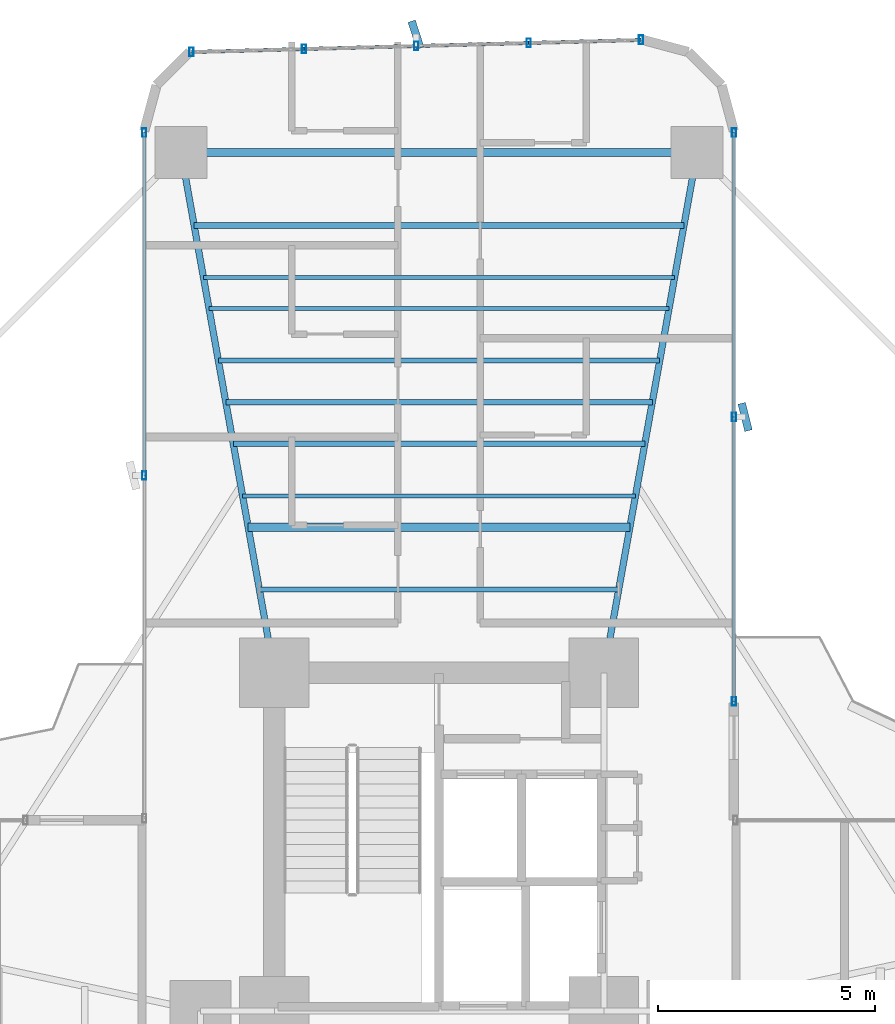
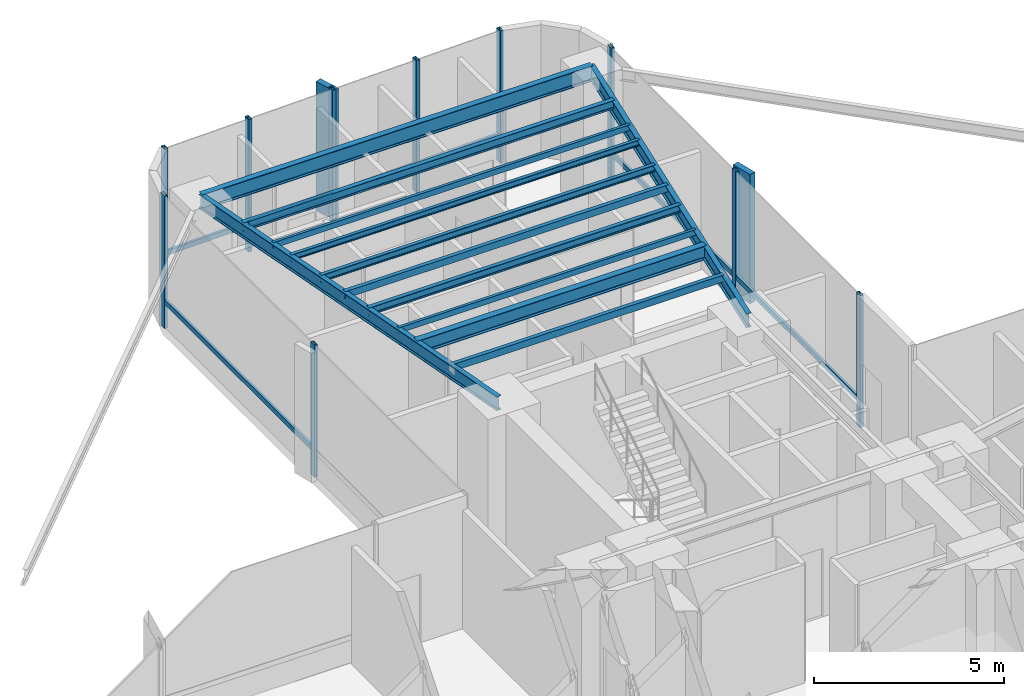
# One storey, part 12 of 20: 19 members, 12 beams, 3 elements without a shape of their own.
"""IFC4 building model written with IfcOpenShell, lengths in metres."""

import ifcopenshell
import ifcopenshell.guid

model = None  # the IFC model being written
_history = None  # IfcOwnerHistory: only IFC2X3 demands one
_inside = {}  # id of a spatial element -> (the spatial element, [elements in it])
_under = {}  # id of a project, library or spatial element -> (it, [spatial elements below it])
_declared = {}  # id of a project -> (the project, [libraries it declares])
_typed = {}  # id of a type object -> (the type object, [elements of that type])
_made_of = {}  # id of a material, layer set ... -> (it, [elements and type objects made of it])


def new_model(schema):
    """Start an empty IFC model of exactly this schema.

    Asked for "IFC4X3", IfcOpenShell would pick the latest addendum, in which some entities
    have other attributes; the version numbers below select the first issue.
    IFC2X3 requires an IfcOwnerHistory on every rooted entity: one is made here for all.
    """
    global model, _history
    if schema == "IFC4X3":
        model = ifcopenshell.file(schema_version=(4, 3, 0, 0))
    else:
        model = ifcopenshell.file(schema=schema)
    _inside.clear()
    _under.clear()
    _declared.clear()
    _typed.clear()
    _made_of.clear()
    _history = None
    if model.schema == "IFC2X3":
        org = make("IfcOrganization", Name="unknown")
        user = make(
            "IfcPersonAndOrganization",
            ThePerson=make("IfcPerson", FamilyName="unknown"),
            TheOrganization=org,
        )
        app = make(
            "IfcApplication",
            ApplicationDeveloper=org,
            Version="unknown",
            ApplicationFullName="unknown",
            ApplicationIdentifier="unknown",
        )
        _history = make(
            "IfcOwnerHistory",
            OwningUser=user,
            OwningApplication=app,
            ChangeAction="ADDED",
            CreationDate=0,
        )
    return model


def make(cls, **values):
    """One entity of the class cls with the attributes given. An attribute that is None is left unset."""
    return model.create_entity(
        cls, **{name: value for name, value in values.items() if value is not None}
    )


def rooted(cls, **values):
    """An entity with a GlobalId (a new one), such as an element, a storey or a relation."""
    return make(cls, GlobalId=ifcopenshell.guid.new(), OwnerHistory=_history, **values)


def si_unit(unit_type, name, prefix=None):
    """IfcSIUnit, for example si_unit("LENGTHUNIT", "METRE", prefix="MILLI")."""
    return make("IfcSIUnit", UnitType=unit_type, Prefix=prefix, Name=name)


def assignment(units):
    """IfcUnitAssignment: the units of a project."""
    return None if units is None else make("IfcUnitAssignment", Units=units)


def point(xyz):
    """IfcCartesianPoint."""
    return None if xyz is None else make("IfcCartesianPoint", Coordinates=xyz)


def direction(xyz):
    """IfcDirection."""
    return None if xyz is None else make("IfcDirection", DirectionRatios=xyz)


def frame(location, z_axis=None, x_axis=None):
    """IfcAxis2Placement3D, a coordinate frame: its origin and axes. An axis left out is left unset."""
    return make(
        "IfcAxis2Placement3D",
        Location=point(location),
        Axis=direction(z_axis),
        RefDirection=direction(x_axis),
    )


def frame_2d(location, x_axis=None):
    """IfcAxis2Placement2D, a coordinate frame in the plane: its origin and x axis."""
    return make(
        "IfcAxis2Placement2D", Location=point(location), RefDirection=direction(x_axis)
    )


def origin():
    """The frame at (0, 0, 0) with its axes left unset."""
    return frame((0.0, 0.0, 0.0))


def origin_2d():
    """The frame at (0, 0) in the plane with its x axis left unset."""
    return frame_2d((0.0, 0.0))


def place(relative_to, where):
    """IfcLocalPlacement: puts the frame where relative to a parent placement (None: the world)."""
    return make(
        "IfcLocalPlacement", PlacementRelTo=relative_to, RelativePlacement=where
    )


def context(
    kind, dimensions, precision=None, world=None, true_north=None, identifier=None
):
    """IfcGeometricRepresentationContext, for example the 3D "Model" context."""
    return make(
        "IfcGeometricRepresentationContext",
        ContextIdentifier=identifier,
        ContextType=kind,
        CoordinateSpaceDimension=dimensions,
        Precision=precision,
        WorldCoordinateSystem=world,
        TrueNorth=true_north,
    )


def subcontext(parent, identifier, kind, view, scale=None):
    """IfcGeometricRepresentationSubContext, for example "Body" below "Model"."""
    return make(
        "IfcGeometricRepresentationSubContext",
        ContextIdentifier=identifier,
        ContextType=kind,
        ParentContext=parent,
        TargetScale=scale,
        TargetView=view,
    )


def project(units=None, contexts=None):
    """IfcProject with its units and contexts."""
    return rooted(
        "IfcProject",
        Name="project",
        RepresentationContexts=contexts,
        UnitsInContext=assignment(units),
    )


def spatial(cls, under=None, at=None, **own):
    """A site, building, storey or space (cls), placed at a placement, below another one or the project."""
    s = rooted(cls, ObjectPlacement=at, **own)
    if under is not None:
        _under.setdefault(under.id(), (under, []))[1].append(s)
    return s


def profile(cls, at=None, kind="AREA", **sizes):
    """A parametric profile (cls). Its sizes go by their IFC names, for example OverallWidth=200.0."""
    return make(cls, ProfileType=kind, Position=at, **sizes)


def rectangle(**sizes):
    """IfcRectangleProfileDef."""
    return profile("IfcRectangleProfileDef", **sizes)


def hollow_rectangle(**sizes):
    """IfcRectangleHollowProfileDef."""
    return profile("IfcRectangleHollowProfileDef", **sizes)


def i_section(**sizes):
    """IfcIShapeProfileDef."""
    return profile("IfcIShapeProfileDef", **sizes)


def extrude(swept, where, along, depth):
    """IfcExtrudedAreaSolid: the profile swept, set in the frame where, extruded along a direction by depth."""
    return make(
        "IfcExtrudedAreaSolid",
        SweptArea=swept,
        Position=where,
        ExtrudedDirection=direction(along),
        Depth=depth,
    )


def shape(context_of_items, identifier, shape_type, items):
    """IfcShapeRepresentation: the items that make up one representation, for example the "Body"."""
    return make(
        "IfcShapeRepresentation",
        ContextOfItems=context_of_items,
        RepresentationIdentifier=identifier,
        RepresentationType=shape_type,
        Items=items,
    )


def source(mapping_origin, context_of_items, identifier, shape_type, items):
    """IfcRepresentationMap: a shape defined once, which mapped items show again and again."""
    return make(
        "IfcRepresentationMap",
        MappingOrigin=mapping_origin,
        MappedRepresentation=shape(context_of_items, identifier, shape_type, items),
    )


def transform(
    local_origin,
    x_axis=None,
    y_axis=None,
    z_axis=None,
    scale=None,
    scale2=None,
    scale3=None,
    uniform=True,
):
    """IfcCartesianTransformationOperator3D, or its non-uniform kind. x_axis, y_axis, z_axis: its Axis1, 2, 3."""
    if uniform:
        return make(
            "IfcCartesianTransformationOperator3D",
            Axis1=direction(x_axis),
            Axis2=direction(y_axis),
            LocalOrigin=point(local_origin),
            Scale=scale,
            Axis3=direction(z_axis),
        )
    return make(
        "IfcCartesianTransformationOperator3DnonUniform",
        Axis1=direction(x_axis),
        Axis2=direction(y_axis),
        LocalOrigin=point(local_origin),
        Scale=scale,
        Axis3=direction(z_axis),
        Scale2=scale2,
        Scale3=scale3,
    )


def mapped(mapping_source, mapping_target):
    """IfcMappedItem: shows the shape of a source again, moved by a transform."""
    return make(
        "IfcMappedItem", MappingSource=mapping_source, MappingTarget=mapping_target
    )


def material(Name=None, Category=None):
    """IfcMaterial."""
    return make("IfcMaterial", Name=Name, Category=Category)


def material_profile(
    of_material, cross_section, Name=None, Category=None, Priority=None
):
    """IfcMaterialProfile: a cross section and its material."""
    return make(
        "IfcMaterialProfile",
        Name=Name,
        Material=of_material,
        Profile=cross_section,
        Priority=Priority,
        Category=Category,
    )


def profile_set(profiles, Name=None, composite=None):
    """IfcMaterialProfileSet."""
    return make(
        "IfcMaterialProfileSet",
        Name=Name,
        MaterialProfiles=profiles,
        CompositeProfile=composite,
    )


def made_of(thing, what):
    """Note that an element or type object is made of a material, layer set ...; save() writes the relation."""
    if what is not None:
        _made_of.setdefault(what.id(), (what, []))[1].append(thing)
    return thing


def type_object(cls, material=None, **own):
    """A type object (cls), such as IfcWallType, which elements share."""
    return made_of(rooted(cls, **own), material)


def element(
    cls,
    number,
    at=None,
    inside=None,
    cuts=None,
    type_object=None,
    material=None,
    context=None,
    identifier="Body",
    shape_type=None,
    held_by="IfcProductDefinitionShape",
    body=None,
    shapes=None,
    **own,
):
    """One element of the class cls, such as IfcWall. Its Tag is "e" and its number.

    at: its placement. inside: the storey or other place that contains it. cuts: it is an
    opening in that element (IfcRelVoidsElement). A single representation is given by context,
    identifier, shape_type and body (its items); several are given by shapes. held_by: the class
    of the entity that holds the representations. save() writes the other relations.
    """
    e = rooted(cls, Tag="e%d" % number, ObjectPlacement=at, **own)
    if body is not None:
        shapes = [shape(context, identifier, shape_type, body)]
    if shapes is not None:
        e.Representation = make(held_by, Representations=shapes)
    if inside is not None:
        _inside.setdefault(inside.id(), (inside, []))[1].append(e)
    if cuts is not None:
        rooted(
            "IfcRelVoidsElement", RelatingBuildingElement=cuts, RelatedOpeningElement=e
        )
    if type_object is not None:
        _typed.setdefault(type_object.id(), (type_object, []))[1].append(e)
    return made_of(e, material)


def aggregate(whole, parts):
    """IfcRelAggregates: a whole, such as a stair, and the parts it consists of."""
    return rooted("IfcRelAggregates", RelatingObject=whole, RelatedObjects=parts)


def save(model, path):
    """Write the relations noted so far, then the file.

    IfcRelAggregates (storeys below a building ...), IfcRelContainedInSpatialStructure (elements
    in a storey), IfcRelDefinesByType, IfcRelAssociatesMaterial and IfcRelDeclares: one each for
    every whole, place, type object, material and project.
    """
    for whole, parts in _under.values():
        aggregate(whole, parts)
    for where, things in _inside.values():
        rooted(
            "IfcRelContainedInSpatialStructure",
            RelatedElements=things,
            RelatingStructure=where,
        )
    for kind, things in _typed.values():
        rooted("IfcRelDefinesByType", RelatedObjects=things, RelatingType=kind)
    for what, things in _made_of.values():
        rooted("IfcRelAssociatesMaterial", RelatedObjects=things, RelatingMaterial=what)
    for by, libraries in _declared.values():
        rooted("IfcRelDeclares", RelatingContext=by, RelatedDefinitions=libraries)
    model.write(path)


model = new_model("IFC4")

# Units and contexts
model_context = context("Model", 3, precision=1e-05, world=origin(), true_north=direction((0.0, 1.0)))
body_context = subcontext(model_context, "Body", "Model", "MODEL_VIEW")
ifc_project = project(units=[si_unit("LENGTHUNIT", "METRE"), si_unit("AREAUNIT", "SQUARE_METRE"), si_unit("VOLUMEUNIT", "CUBIC_METRE"), si_unit("PLANEANGLEUNIT", "RADIAN"), si_unit("MASSUNIT", "GRAM", prefix="KILO")], contexts=[model_context])

# Site, building, storey
site_placement = place(None, origin())
site = spatial("IfcSite", under=ifc_project, at=site_placement, CompositionType="ELEMENT")
building_placement = place(site_placement, origin())
building = spatial("IfcBuilding", under=site, at=building_placement, Name="Sahyath Konkavel Grand Hotel", CompositionType="ELEMENT")
storey_placement = place(building_placement, frame((0.0, 0.0, 46.550048828125)))
storey = spatial("IfcBuildingStorey", under=building, at=storey_placement, Name="L12", CompositionType="ELEMENT", Elevation=46.550048828125)

# Beams
ifc_material_1 = material(Name="Steel E350", Category="steel")
ifc_material_profile_1 = material_profile(ifc_material_1, i_section(OverallWidth=0.179931640625, OverallDepth=0.5, WebThickness=0.01025390625, FlangeThickness=0.01708984375, FilletRadius=0.01708984375, at=origin_2d()), Name="ISMB 500")
ifc_profile_set_1 = profile_set([ifc_material_profile_1], Name="Steel E350")
beam_type_1 = type_object("IfcBeamType", Name="BM-ISMB500", PredefinedType="BEAM", material=ifc_profile_set_1)
shared_shape_1 = source(origin(), body_context, "Body", "SweptSolid", [
    extrude(i_section(OverallWidth=0.179931640625, OverallDepth=0.5, WebThickness=0.01025390625, FlangeThickness=0.01708984375, FilletRadius=0.01708984375, at=origin_2d()), origin(), (0.0, 0.0, 1.0), 11.89990234375),
])
beam_1_placement = place(storey_placement, frame((5.949951171875, 22.199951171875, 4.010009765625), z_axis=(-1.0, 0.0, 0.0), x_axis=(0.0, -1.0, 0.0)))
element("IfcBeam", 1, at=beam_1_placement, inside=storey, type_object=beam_type_1, Name="L12 Wing Tip Edge Beam N", PredefinedType="BEAM", context=body_context, shape_type="MappedRepresentation", body=[
    mapped(shared_shape_1, transform((0.0, 0.0, 0.0), scale=1.0)),
])
ifc_material_profile_2 = material_profile(ifc_material_1, i_section(OverallWidth=0.14990234375, OverallDepth=0.449951171875, WebThickness=0.009521484375, FlangeThickness=0.017333984375, FilletRadius=0.014892578125, at=origin_2d()), Name="ISMB 450")
ifc_profile_set_2 = profile_set([ifc_material_profile_2], Name="Steel E350")
beam_type_2 = type_object("IfcBeamType", Name="BM-ISMB450", PredefinedType="BEAM", material=ifc_profile_set_2)
shared_shape_2 = source(origin(), body_context, "Body", "SweptSolid", [
    extrude(i_section(OverallWidth=0.14990234375, OverallDepth=0.449951171875, WebThickness=0.009521484375, FlangeThickness=0.017333984375, FilletRadius=0.014892578125, at=origin_2d()), origin(), (0.0, 0.0, 1.0), 12.191162109375),
])
for number, where, z_axis, x_axis, name in (
    (2, (3.800048828125, 10.199951171875, 4.034912109375), (0.176350650305, 0.984327409014, 0.0), (-0.984327409014, 0.176350650305, 0.0), "L12 Cruciform Radial Girder NA"),
    (3, (-3.800048828125, 10.199951171875, 4.034912109375), (-0.176350650305, 0.984327409014, 0.0), (-0.984327409014, -0.176350650305, 0.0), "L12 Cruciform Radial Girder NB"),
):
    element("IfcBeam", number, at=place(storey_placement, frame(where, z_axis=z_axis, x_axis=x_axis)), inside=storey, type_object=beam_type_2, Name=name, PredefinedType="BEAM", context=body_context, shape_type="MappedRepresentation", body=[
        mapped(shared_shape_2, transform((0.0, 0.0, 0.0), scale=1.0)),
    ])
ifc_material_profile_3 = material_profile(ifc_material_1, i_section(OverallWidth=0.199951171875, OverallDepth=0.449951171875, WebThickness=0.00927734375, FlangeThickness=0.015380859375, FilletRadius=0.01611328125, at=origin_2d()), Name="ISWB 450")
ifc_profile_set_3 = profile_set([ifc_material_profile_3], Name="Steel E350")
beam_type_3 = type_object("IfcBeamType", Name="BM-ISWB450", PredefinedType="BEAM", material=ifc_profile_set_3)
shared_shape_3 = source(origin(), body_context, "Body", "SweptSolid", [
    extrude(i_section(OverallWidth=0.199951171875, OverallDepth=0.449951171875, WebThickness=0.00927734375, FlangeThickness=0.015380859375, FilletRadius=0.01611328125, at=origin_2d()), origin(), (0.0, 0.0, 1.0), 8.80419921875),
])
beam_2_placement = place(storey_placement, frame((4.402099609375, 13.56005859375, 4.034912109375), z_axis=(-1.0, 0.0, 0.0), x_axis=(0.0, -1.0, 0.0)))
element("IfcBeam", 4, at=beam_2_placement, inside=storey, type_object=beam_type_3, Name="L12 Secondary Floor Beam N-1", PredefinedType="BEAM", context=body_context, shape_type="MappedRepresentation", body=[
    mapped(shared_shape_3, transform((0.0, 0.0, 0.0), scale=1.0)),
])
ifc_material_profile_4 = material_profile(ifc_material_1, hollow_rectangle(XDim=0.1201171875, YDim=0.219970703125, WallThickness=0.010009765625, at=origin_2d()), Name="RHS 220x120x10")
ifc_profile_set_4 = profile_set([ifc_material_profile_4], Name="Steel E350")
beam_type_4 = type_object("IfcBeamType", Name="BM-RHS220", PredefinedType="BEAM", material=ifc_profile_set_4)
shared_shape_4 = source(origin(), body_context, "Body", "SweptSolid", [
    extrude(hollow_rectangle(XDim=0.1201171875, YDim=0.219970703125, WallThickness=0.010009765625, at=origin_2d()), origin(), (0.0, 0.0, 1.0), 9.8359375),
])
beam_3_placement = place(storey_placement, frame((4.91796875, 16.43994140625, 4.14990234375), z_axis=(-1.0, 0.0, 0.0), x_axis=(0.0, -1.0, 0.0)))
element("IfcBeam", 5, at=beam_3_placement, inside=storey, type_object=beam_type_4, Name="L12 Secondary Floor Beam N-2", PredefinedType="BEAM", context=body_context, shape_type="MappedRepresentation", body=[
    mapped(shared_shape_4, transform((0.0, 0.0, 0.0), scale=1.0)),
])
ifc_material_profile_5 = material_profile(ifc_material_1, hollow_rectangle(XDim=0.090087890625, YDim=0.179931640625, WallThickness=0.008056640625, at=origin_2d()), Name="RHS 180x90x8")
ifc_profile_set_5 = profile_set([ifc_material_profile_5], Name="Steel E350")
beam_type_5 = type_object("IfcBeamType", Name="BM-RHS180", PredefinedType="BEAM", material=ifc_profile_set_5)
shared_shape_5 = source(origin(), body_context, "Body", "SweptSolid", [
    extrude(hollow_rectangle(XDim=0.090087890625, YDim=0.179931640625, WallThickness=0.008056640625, at=origin_2d()), origin(), (0.0, 0.0, 1.0), 10.8681640625),
])
beam_4_placement = place(storey_placement, frame((5.43408203125, 19.320068359375, 4.169921875), z_axis=(-1.0, 0.0, 0.0), x_axis=(0.0, -1.0, 0.0)))
element("IfcBeam", 6, at=beam_4_placement, inside=storey, type_object=beam_type_5, Name="L12 Secondary Floor Beam N-3", PredefinedType="BEAM", context=body_context, shape_type="MappedRepresentation", body=[
    mapped(shared_shape_5, transform((0.0, 0.0, 0.0), scale=1.0)),
])
shared_shape_6 = source(origin(), body_context, "Body", "SweptSolid", [
    extrude(hollow_rectangle(XDim=0.1201171875, YDim=0.219970703125, WallThickness=0.010009765625, at=origin_2d()), origin(), (0.0, 0.0, 1.0), 8.2880859375),
])
beam_5_placement = place(storey_placement, frame((4.14404296875, 12.1201171875, 4.14990234375), z_axis=(-1.0, 0.0, 0.0), x_axis=(0.0, -1.0, 0.0)))
element("IfcBeam", 7, at=beam_5_placement, inside=storey, type_object=beam_type_4, Name="L12 Composite Deck Sub-Beam N-1", PredefinedType="BEAM", context=body_context, shape_type="MappedRepresentation", body=[
    mapped(shared_shape_6, transform((0.0, 0.0, 0.0), scale=1.0)),
])
shared_shape_7 = source(origin(), body_context, "Body", "SweptSolid", [
    extrude(hollow_rectangle(XDim=0.090087890625, YDim=0.179931640625, WallThickness=0.008056640625, at=origin_2d()), origin(), (0.0, 0.0, 1.0), 9.06201171875),
])
beam_6_placement = place(storey_placement, frame((4.531005859375, 14.280029296875, 4.169921875), z_axis=(-1.0, 0.0, 0.0), x_axis=(0.0, -1.0, 0.0)))
element("IfcBeam", 8, at=beam_6_placement, inside=storey, type_object=beam_type_5, Name="L12 Composite Deck Sub-Beam N-2", PredefinedType="BEAM", context=body_context, shape_type="MappedRepresentation", body=[
    mapped(shared_shape_7, transform((0.0, 0.0, 0.0), scale=1.0)),
])
ifc_material_profile_6 = material_profile(ifc_material_1, i_section(OverallWidth=0.125, OverallDepth=0.25, WebThickness=0.0068359375, FlangeThickness=0.012451171875, FilletRadius=0.012939453125, at=origin_2d()), Name="ISMB 250")
ifc_profile_set_6 = profile_set([ifc_material_profile_6], Name="Steel E350")
beam_type_6 = type_object("IfcBeamType", Name="BM-ISMB250", PredefinedType="BEAM", material=ifc_profile_set_6)
shared_shape_8 = source(origin(), body_context, "Body", "SweptSolid", [
    extrude(i_section(OverallWidth=0.125, OverallDepth=0.25, WebThickness=0.0068359375, FlangeThickness=0.012451171875, FilletRadius=0.012939453125, at=origin_2d()), origin(), (0.0, 0.0, 1.0), 9.4921875),
])
beam_7_placement = place(storey_placement, frame((4.74609375, 15.47998046875, 4.135009765625), z_axis=(-1.0, 0.0, 0.0), x_axis=(0.0, -1.0, 0.0)))
element("IfcBeam", 9, at=beam_7_placement, inside=storey, type_object=beam_type_6, Name="L12 Composite Deck Sub-Beam N-3", PredefinedType="BEAM", context=body_context, shape_type="MappedRepresentation", body=[
    mapped(shared_shape_8, transform((0.0, 0.0, 0.0), scale=1.0)),
])
ifc_material_profile_7 = material_profile(ifc_material_1, i_section(OverallWidth=0.110107421875, OverallDepth=0.22509765625, WebThickness=0.006591796875, FlangeThickness=0.01171875, FilletRadius=0.011962890625, at=origin_2d()), Name="ISMB 225")
ifc_profile_set_7 = profile_set([ifc_material_profile_7], Name="Steel E350")
beam_type_7 = type_object("IfcBeamType", Name="BM-ISMB225", PredefinedType="BEAM", material=ifc_profile_set_7)
shared_shape_9 = source(origin(), body_context, "Body", "SweptSolid", [
    extrude(i_section(OverallWidth=0.110107421875, OverallDepth=0.22509765625, WebThickness=0.006591796875, FlangeThickness=0.01171875, FilletRadius=0.011962890625, at=origin_2d()), origin(), (0.0, 0.0, 1.0), 10.18017578125),
])
beam_8_placement = place(storey_placement, frame((5.090087890625, 17.39990234375, 4.1474609375), z_axis=(-1.0, 0.0, 0.0), x_axis=(0.0, -1.0, 0.0)))
element("IfcBeam", 10, at=beam_8_placement, inside=storey, type_object=beam_type_7, Name="L12 Composite Deck Sub-Beam N-4", PredefinedType="BEAM", context=body_context, shape_type="MappedRepresentation", body=[
    mapped(shared_shape_9, transform((0.0, 0.0, 0.0), scale=1.0)),
])
ifc_material_profile_8 = material_profile(ifc_material_1, i_section(OverallWidth=0.10009765625, OverallDepth=0.199951171875, WebThickness=0.005615234375, FlangeThickness=0.0107421875, FilletRadius=0.010986328125, at=origin_2d()), Name="ISMB 200")
ifc_profile_set_8 = profile_set([ifc_material_profile_8], Name="Steel E350")
beam_type_8 = type_object("IfcBeamType", Name="BM-ISMB200", PredefinedType="BEAM", material=ifc_profile_set_8)
shared_shape_10 = source(origin(), body_context, "Body", "SweptSolid", [
    extrude(i_section(OverallWidth=0.10009765625, OverallDepth=0.199951171875, WebThickness=0.005615234375, FlangeThickness=0.0107421875, FilletRadius=0.010986328125, at=origin_2d()), origin(), (0.0, 0.0, 1.0), 10.60986328125),
])
beam_9_placement = place(storey_placement, frame((5.304931640625, 18.60009765625, 4.159912109375), z_axis=(-1.0, 0.0, 0.0), x_axis=(0.0, -1.0, 0.0)))
element("IfcBeam", 11, at=beam_9_placement, inside=storey, type_object=beam_type_8, Name="L12 Composite Deck Sub-Beam N-5", PredefinedType="BEAM", context=body_context, shape_type="MappedRepresentation", body=[
    mapped(shared_shape_10, transform((0.0, 0.0, 0.0), scale=1.0)),
])
ifc_material_profile_9 = material_profile(ifc_material_1, i_section(OverallWidth=0.139892578125, OverallDepth=0.27490234375, WebThickness=0.00634765625, FlangeThickness=0.0087890625, FilletRadius=0.012939453125, at=origin_2d()), Name="ISLB 275")
ifc_profile_set_9 = profile_set([ifc_material_profile_9], Name="Steel E350")
beam_type_9 = type_object("IfcBeamType", Name="BM-ISLB275", PredefinedType="BEAM", material=ifc_profile_set_9)
shared_shape_11 = source(origin(), body_context, "Body", "SweptSolid", [
    extrude(i_section(OverallWidth=0.139892578125, OverallDepth=0.27490234375, WebThickness=0.00634765625, FlangeThickness=0.0087890625, FilletRadius=0.012939453125, at=origin_2d()), origin(), (0.0, 0.0, 1.0), 11.2978515625),
])
beam_10_placement = place(storey_placement, frame((5.64892578125, 20.52001953125, 4.12255859375), z_axis=(-1.0, 0.0, 0.0), x_axis=(0.0, -1.0, 0.0)))
element("IfcBeam", 12, at=beam_10_placement, inside=storey, type_object=beam_type_9, Name="L12 Composite Deck Sub-Beam N-6", PredefinedType="BEAM", context=body_context, shape_type="MappedRepresentation", body=[
    mapped(shared_shape_11, transform((0.0, 0.0, 0.0), scale=1.0)),
])

# Curtain wall, members
ifc_material_2 = material(Name="Anodised Bronze Aluminium & Low-E Glazing", Category="aluminium")
curtain_wall_type = type_object("IfcCurtainWallType", Name="CW-SKYLOBBY", PredefinedType="NOTDEFINED", material=ifc_material_2)
curtain_wall_1_placement = place(storey_placement, origin())
curtain_wall_1 = element("IfcCurtainWall", 13, at=curtain_wall_1_placement, inside=storey, type_object=curtain_wall_type, Name="L12 Unitised Curtain Wall F8", PredefinedType="NOTDEFINED")
ifc_material_3 = material(Name="Anodised Bronze Aluminium", Category="aluminium")
ifc_material_profile_10 = material_profile(ifc_material_3, hollow_rectangle(XDim=0.10009765625, YDim=0.199951171875, WallThickness=0.008056640625, at=origin_2d()), Name="RHS 200x100x8")
ifc_profile_set_10 = profile_set([ifc_material_profile_10], Name="Anodised Bronze Aluminium")
member_type_1 = type_object("IfcMemberType", Name="CW-MUL-200", PredefinedType="MULLION", material=ifc_profile_set_10)
shared_shape_12 = source(origin(), body_context, "Body", "SweptSolid", [
    extrude(hollow_rectangle(XDim=0.10009765625, YDim=0.199951171875, WallThickness=0.008056640625, at=origin_2d()), origin(), (0.0, 0.0, 1.0), 4.260009765625),
])
member_1_placement = place(storey_placement, frame((6.800048828125, 9.5400390625, 0.0), z_axis=(0.0, 0.0, 1.0), x_axis=(1.0, 0.0, 0.0)))
member_1 = element("IfcMember", 14, at=member_1_placement, type_object=member_type_1, Name="L12 Curtain Wall Mullion F8-0", PredefinedType="MULLION", context=body_context, shape_type="MappedRepresentation", body=[
    mapped(shared_shape_12, transform((0.0, 0.0, 0.0), scale=1.0)),
])
member_2_placement = place(storey_placement, frame((6.800048828125, 16.10009765625, 0.0), z_axis=(0.0, 0.0, 1.0), x_axis=(1.0, 0.0, 0.0)))
member_2 = element("IfcMember", 15, at=member_2_placement, type_object=member_type_1, Name="L12 Curtain Wall Mullion F8-1", PredefinedType="MULLION", context=body_context, shape_type="MappedRepresentation", body=[
    mapped(shared_shape_12, transform((0.0, 0.0, 0.0), scale=1.0)),
])
member_3_placement = place(storey_placement, frame((6.800048828125, 22.659912109375, 0.0), z_axis=(0.0, 0.0, 1.0), x_axis=(1.0, 0.0, 0.0)))
member_3 = element("IfcMember", 16, at=member_3_placement, type_object=member_type_1, Name="L12 Curtain Wall Mullion F8-2", PredefinedType="MULLION", context=body_context, shape_type="MappedRepresentation", body=[
    mapped(shared_shape_12, transform((0.0, 0.0, 0.0), scale=1.0)),
])

curtain_wall_2_placement = place(storey_placement, origin())
curtain_wall_2 = element("IfcCurtainWall", 17, at=curtain_wall_2_placement, inside=storey, type_object=curtain_wall_type, Name="L12 Unitised Curtain Wall F12", PredefinedType="NOTDEFINED")
member_4_placement = place(storey_placement, frame((4.659912109375, 24.798828125, 0.0), z_axis=(0.0, 0.0, 1.0), x_axis=(1.0, 0.0, 0.0)))
member_4 = element("IfcMember", 18, at=member_4_placement, type_object=member_type_1, Name="L12 Curtain Wall Mullion F12-0", PredefinedType="MULLION", context=body_context, shape_type="MappedRepresentation", body=[
    mapped(shared_shape_12, transform((0.0, 0.0, 0.0), scale=1.0)),
])
member_5_placement = place(storey_placement, frame((2.0673828125, 24.72900390625, 0.0), z_axis=(0.0, 0.0, 1.0), x_axis=(1.0, 0.0, 0.0)))
member_5 = element("IfcMember", 19, at=member_5_placement, type_object=member_type_1, Name="L12 Curtain Wall Mullion F12-1", PredefinedType="MULLION", context=body_context, shape_type="MappedRepresentation", body=[
    mapped(shared_shape_12, transform((0.0, 0.0, 0.0), scale=1.0)),
])
member_6_placement = place(storey_placement, frame((-0.52490234375, 24.6591796875, 0.0), z_axis=(0.0, 0.0, 1.0), x_axis=(1.0, 0.0, 0.0)))
member_6 = element("IfcMember", 20, at=member_6_placement, type_object=member_type_1, Name="L12 Curtain Wall Mullion F12-2", PredefinedType="MULLION", context=body_context, shape_type="MappedRepresentation", body=[
    mapped(shared_shape_12, transform((0.0, 0.0, 0.0), scale=1.0)),
])
member_7_placement = place(storey_placement, frame((-3.117431640625, 24.589599609375, 0.0), z_axis=(0.0, 0.0, 1.0), x_axis=(1.0, 0.0, 0.0)))
member_7 = element("IfcMember", 21, at=member_7_placement, type_object=member_type_1, Name="L12 Curtain Wall Mullion F12-3", PredefinedType="MULLION", context=body_context, shape_type="MappedRepresentation", body=[
    mapped(shared_shape_12, transform((0.0, 0.0, 0.0), scale=1.0)),
])
member_8_placement = place(storey_placement, frame((-5.7099609375, 24.519775390625, 0.0), z_axis=(0.0, 0.0, 1.0), x_axis=(1.0, 0.0, 0.0)))
member_8 = element("IfcMember", 22, at=member_8_placement, type_object=member_type_1, Name="L12 Curtain Wall Mullion F12-4", PredefinedType="MULLION", context=body_context, shape_type="MappedRepresentation", body=[
    mapped(shared_shape_12, transform((0.0, 0.0, 0.0), scale=1.0)),
])

curtain_wall_3_placement = place(storey_placement, origin())
curtain_wall_3 = element("IfcCurtainWall", 23, at=curtain_wall_3_placement, inside=storey, type_object=curtain_wall_type, Name="L12 Unitised Curtain Wall F15", PredefinedType="NOTDEFINED")
member_9_placement = place(storey_placement, frame((-6.800048828125, 22.659912109375, 0.0), z_axis=(0.0, 0.0, 1.0), x_axis=(1.0, 0.0, 0.0)))
member_9 = element("IfcMember", 24, at=member_9_placement, type_object=member_type_1, Name="L12 Curtain Wall Mullion F15-0", PredefinedType="MULLION", context=body_context, shape_type="MappedRepresentation", body=[
    mapped(shared_shape_12, transform((0.0, 0.0, 0.0), scale=1.0)),
])
member_10_placement = place(storey_placement, frame((-6.800048828125, 14.75, 0.0), z_axis=(0.0, 0.0, 1.0), x_axis=(1.0, 0.0, 0.0)))
member_10 = element("IfcMember", 25, at=member_10_placement, type_object=member_type_1, Name="L12 Curtain Wall Mullion F15-1", PredefinedType="MULLION", context=body_context, shape_type="MappedRepresentation", body=[
    mapped(shared_shape_12, transform((0.0, 0.0, 0.0), scale=1.0)),
])
ifc_material_profile_11 = material_profile(ifc_material_3, hollow_rectangle(XDim=0.080078125, YDim=0.159912109375, WallThickness=0.006103515625, at=origin_2d()), Name="RHS 160x80x6")
ifc_profile_set_11 = profile_set([ifc_material_profile_11], Name="Anodised Bronze Aluminium")
member_type_2 = type_object("IfcMemberType", Name="CW-TRN-160", PredefinedType="USERDEFINED", material=ifc_profile_set_11)
shared_shape_13 = source(origin(), body_context, "Body", "SweptSolid", [
    extrude(hollow_rectangle(XDim=0.080078125, YDim=0.159912109375, WallThickness=0.006103515625, at=origin_2d()), origin(), (0.0, 0.0, 1.0), 7.909912109375),
])
member_11_placement = place(storey_placement, frame((-6.800048828125, 22.659912109375, 0.849853515625), z_axis=(0.0, -1.0, 0.0), x_axis=(1.0, 0.0, 0.0)))
member_11 = element("IfcMember", 26, at=member_11_placement, type_object=member_type_2, Name="L12 Curtain Wall Transom F15-0-spandrel", ObjectType="TRANSOM", PredefinedType="USERDEFINED", context=body_context, shape_type="MappedRepresentation", body=[
    mapped(shared_shape_13, transform((0.0, 0.0, 0.0), scale=1.0)),
])
aggregate(curtain_wall_3, [member_9, member_10, member_11])

# Member
shared_shape_14 = source(origin(), body_context, "Body", "SweptSolid", [
    extrude(hollow_rectangle(XDim=0.080078125, YDim=0.159912109375, WallThickness=0.006103515625, at=origin_2d()), origin(), (0.0, 0.0, 1.0), 2.593505859375),
])
member_12_placement = place(storey_placement, frame((4.659912109375, 24.798828125, 0.849853515625), z_axis=(-0.999637507825, -0.026923093252, 0.0), x_axis=(0.026923093252, -0.999637507825, 0.0)))
member_12 = element("IfcMember", 27, at=member_12_placement, type_object=member_type_2, Name="L12 Curtain Wall Transom F12-0-spandrel", ObjectType="TRANSOM", PredefinedType="USERDEFINED", context=body_context, shape_type="MappedRepresentation", body=[
    mapped(shared_shape_14, transform((0.0, 0.0, 0.0), scale=1.0)),
])

member_13_placement = place(storey_placement, frame((-0.52490234375, 24.6591796875, 0.849853515625), z_axis=(-0.999640036937, -0.02682902444, 0.0), x_axis=(0.02682902444, -0.999640036937, 0.0)))
member_13 = element("IfcMember", 28, at=member_13_placement, type_object=member_type_2, Name="L12 Curtain Wall Transom F12-2-spandrel", ObjectType="TRANSOM", PredefinedType="USERDEFINED", context=body_context, shape_type="MappedRepresentation", body=[
    mapped(shared_shape_14, transform((0.0, 0.0, 0.0), scale=1.0)),
])

member_14_placement = place(storey_placement, frame((-3.117431640625, 24.589599609375, 0.849853515625), z_axis=(-0.999637507825, -0.026923093252, 0.0), x_axis=(0.026923093252, -0.999637507825, 0.0)))
member_14 = element("IfcMember", 29, at=member_14_placement, type_object=member_type_2, Name="L12 Curtain Wall Transom F12-3-spandrel", ObjectType="TRANSOM", PredefinedType="USERDEFINED", context=body_context, shape_type="MappedRepresentation", body=[
    mapped(shared_shape_14, transform((0.0, 0.0, 0.0), scale=1.0)),
])

shared_shape_15 = source(origin(), body_context, "Body", "SweptSolid", [
    extrude(hollow_rectangle(XDim=0.080078125, YDim=0.159912109375, WallThickness=0.006103515625, at=origin_2d()), origin(), (0.0, 0.0, 1.0), 2.59326171875),
])
member_15_placement = place(storey_placement, frame((2.0673828125, 24.72900390625, 0.849853515625), z_axis=(-0.99963743958, -0.026925627022, 0.0), x_axis=(0.026925627022, -0.99963743958, 0.0)))
member_15 = element("IfcMember", 30, at=member_15_placement, type_object=member_type_2, Name="L12 Curtain Wall Transom F12-1-spandrel", ObjectType="TRANSOM", PredefinedType="USERDEFINED", context=body_context, shape_type="MappedRepresentation", body=[
    mapped(shared_shape_15, transform((0.0, 0.0, 0.0), scale=1.0)),
])

shared_shape_16 = source(origin(), body_context, "Body", "SweptSolid", [
    extrude(hollow_rectangle(XDim=0.080078125, YDim=0.159912109375, WallThickness=0.006103515625, at=origin_2d()), origin(), (0.0, 0.0, 1.0), 6.56005859375),
])
member_16_placement = place(storey_placement, frame((6.800048828125, 9.5400390625, 0.849853515625), z_axis=(0.0, 1.0, 0.0), x_axis=(-1.0, 0.0, 0.0)))
member_16 = element("IfcMember", 31, at=member_16_placement, type_object=member_type_2, Name="L12 Curtain Wall Transom F8-0-spandrel", ObjectType="TRANSOM", PredefinedType="USERDEFINED", context=body_context, shape_type="MappedRepresentation", body=[
    mapped(shared_shape_16, transform((0.0, 0.0, 0.0), scale=1.0)),
])

shared_shape_17 = source(origin(), body_context, "Body", "SweptSolid", [
    extrude(hollow_rectangle(XDim=0.080078125, YDim=0.159912109375, WallThickness=0.006103515625, at=origin_2d()), origin(), (0.0, 0.0, 1.0), 6.559814453125),
])
member_17_placement = place(storey_placement, frame((6.800048828125, 16.10009765625, 0.849853515625), z_axis=(0.0, 1.0, 0.0), x_axis=(-1.0, 0.0, 0.0)))
member_17 = element("IfcMember", 32, at=member_17_placement, type_object=member_type_2, Name="L12 Curtain Wall Transom F8-1-spandrel", ObjectType="TRANSOM", PredefinedType="USERDEFINED", context=body_context, shape_type="MappedRepresentation", body=[
    mapped(shared_shape_17, transform((0.0, 0.0, 0.0), scale=1.0)),
])

ifc_material_4 = material(Name="Warm Buff Sandstone Cladding on Concrete C50/60", Category="masonry")
ifc_material_profile_12 = material_profile(ifc_material_4, rectangle(XDim=0.179931640625, YDim=0.64990234375, at=origin_2d()), Name="FIN 180x650")
ifc_profile_set_12 = profile_set([ifc_material_profile_12], Name="Warm Buff Sandstone Cladding on Concrete C50/60")
member_type_3 = type_object("IfcMemberType", Name="FIN-SANDSTONE-650", PredefinedType="MULLION", material=ifc_profile_set_12)
shared_shape_18 = source(origin(), body_context, "Body", "SweptSolid", [
    extrude(rectangle(XDim=0.179931640625, YDim=0.64990234375, at=origin_2d()), origin(), (0.0, 0.0, 1.0), 4.159912109375),
])
member_18_placement = place(storey_placement, frame((7.06005859375, 16.10009765625, 0.050048828125), z_axis=(0.0, 0.0, 1.0), x_axis=(0.970084240161, 0.242768546132, 0.0)))
member_18 = element("IfcMember", 33, at=member_18_placement, type_object=member_type_3, Name="L12 Sandstone Vertical Solar Fin FIN F8-1", PredefinedType="MULLION", context=body_context, shape_type="MappedRepresentation", body=[
    mapped(shared_shape_18, transform((0.0, 0.0, 0.0), scale=1.0)),
])

aggregate(curtain_wall_1, [member_1, member_2, member_18, member_3, member_16, member_17])

member_19_placement = place(storey_placement, frame((-0.531982421875, 24.919189453125, 0.050048828125), z_axis=(0.0, 0.0, 1.0), x_axis=(0.951648033235, 0.307190528564, 0.0)))
member_19 = element("IfcMember", 34, at=member_19_placement, type_object=member_type_3, Name="L12 Sandstone Vertical Solar Fin FIN F12-2", PredefinedType="MULLION", context=body_context, shape_type="MappedRepresentation", body=[
    mapped(shared_shape_18, transform((0.0, 0.0, 0.0), scale=1.0)),
])

aggregate(curtain_wall_2, [member_4, member_5, member_6, member_19, member_7, member_8, member_12, member_15, member_13, member_14])

save(model, "model.ifc")
